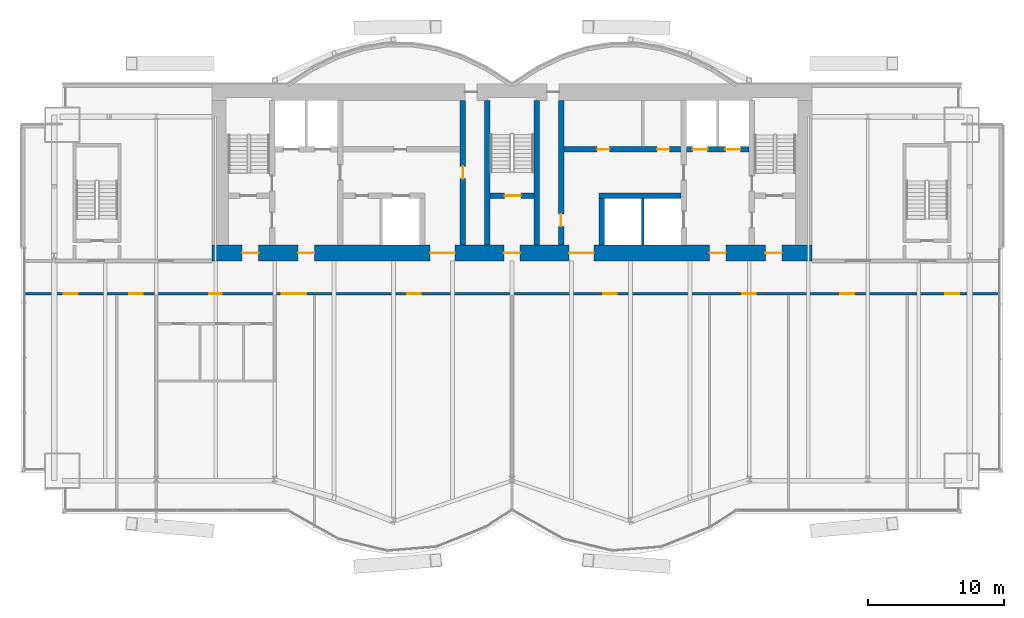
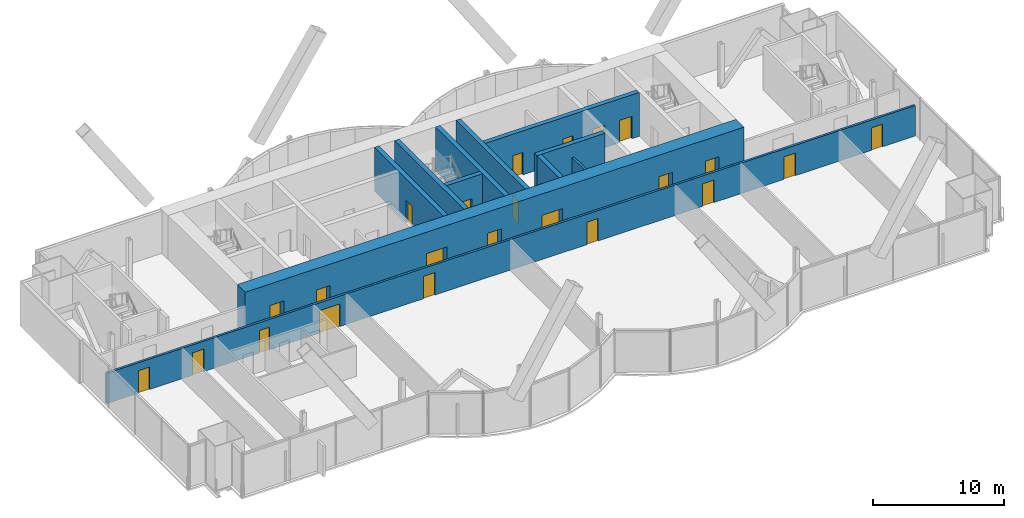
# One storey, part 15 of 20: 23 doors, 11 walls, 23 openings.
"""IFC4 building model written with IfcOpenShell, lengths in metres."""

import ifcopenshell
import ifcopenshell.guid

model = None  # the IFC model being written
_history = None  # IfcOwnerHistory: only IFC2X3 demands one
_inside = {}  # id of a spatial element -> (the spatial element, [elements in it])
_under = {}  # id of a project, library or spatial element -> (it, [spatial elements below it])
_declared = {}  # id of a project -> (the project, [libraries it declares])
_typed = {}  # id of a type object -> (the type object, [elements of that type])
_made_of = {}  # id of a material, layer set ... -> (it, [elements and type objects made of it])


def new_model(schema):
    """Start an empty IFC model of exactly this schema.

    Asked for "IFC4X3", IfcOpenShell would pick the latest addendum, in which some entities
    have other attributes; the version numbers below select the first issue.
    IFC2X3 requires an IfcOwnerHistory on every rooted entity: one is made here for all.
    """
    global model, _history
    if schema == "IFC4X3":
        model = ifcopenshell.file(schema_version=(4, 3, 0, 0))
    else:
        model = ifcopenshell.file(schema=schema)
    _inside.clear()
    _under.clear()
    _declared.clear()
    _typed.clear()
    _made_of.clear()
    _history = None
    if model.schema == "IFC2X3":
        org = make("IfcOrganization", Name="unknown")
        user = make(
            "IfcPersonAndOrganization",
            ThePerson=make("IfcPerson", FamilyName="unknown"),
            TheOrganization=org,
        )
        app = make(
            "IfcApplication",
            ApplicationDeveloper=org,
            Version="unknown",
            ApplicationFullName="unknown",
            ApplicationIdentifier="unknown",
        )
        _history = make(
            "IfcOwnerHistory",
            OwningUser=user,
            OwningApplication=app,
            ChangeAction="ADDED",
            CreationDate=0,
        )
    return model


def make(cls, **values):
    """One entity of the class cls with the attributes given. An attribute that is None is left unset."""
    return model.create_entity(
        cls, **{name: value for name, value in values.items() if value is not None}
    )


def rooted(cls, **values):
    """An entity with a GlobalId (a new one), such as an element, a storey or a relation."""
    return make(cls, GlobalId=ifcopenshell.guid.new(), OwnerHistory=_history, **values)


def si_unit(unit_type, name, prefix=None):
    """IfcSIUnit, for example si_unit("LENGTHUNIT", "METRE", prefix="MILLI")."""
    return make("IfcSIUnit", UnitType=unit_type, Prefix=prefix, Name=name)


def assignment(units):
    """IfcUnitAssignment: the units of a project."""
    return None if units is None else make("IfcUnitAssignment", Units=units)


def point(xyz):
    """IfcCartesianPoint."""
    return None if xyz is None else make("IfcCartesianPoint", Coordinates=xyz)


def direction(xyz):
    """IfcDirection."""
    return None if xyz is None else make("IfcDirection", DirectionRatios=xyz)


def frame(location, z_axis=None, x_axis=None):
    """IfcAxis2Placement3D, a coordinate frame: its origin and axes. An axis left out is left unset."""
    return make(
        "IfcAxis2Placement3D",
        Location=point(location),
        Axis=direction(z_axis),
        RefDirection=direction(x_axis),
    )


def frame_2d(location, x_axis=None):
    """IfcAxis2Placement2D, a coordinate frame in the plane: its origin and x axis."""
    return make(
        "IfcAxis2Placement2D", Location=point(location), RefDirection=direction(x_axis)
    )


def origin():
    """The frame at (0, 0, 0) with its axes left unset."""
    return frame((0.0, 0.0, 0.0))


def place(relative_to, where):
    """IfcLocalPlacement: puts the frame where relative to a parent placement (None: the world)."""
    return make(
        "IfcLocalPlacement", PlacementRelTo=relative_to, RelativePlacement=where
    )


def context(
    kind, dimensions, precision=None, world=None, true_north=None, identifier=None
):
    """IfcGeometricRepresentationContext, for example the 3D "Model" context."""
    return make(
        "IfcGeometricRepresentationContext",
        ContextIdentifier=identifier,
        ContextType=kind,
        CoordinateSpaceDimension=dimensions,
        Precision=precision,
        WorldCoordinateSystem=world,
        TrueNorth=true_north,
    )


def subcontext(parent, identifier, kind, view, scale=None):
    """IfcGeometricRepresentationSubContext, for example "Body" below "Model"."""
    return make(
        "IfcGeometricRepresentationSubContext",
        ContextIdentifier=identifier,
        ContextType=kind,
        ParentContext=parent,
        TargetScale=scale,
        TargetView=view,
    )


def project(units=None, contexts=None):
    """IfcProject with its units and contexts."""
    return rooted(
        "IfcProject",
        Name="project",
        RepresentationContexts=contexts,
        UnitsInContext=assignment(units),
    )


def spatial(cls, under=None, at=None, **own):
    """A site, building, storey or space (cls), placed at a placement, below another one or the project."""
    s = rooted(cls, ObjectPlacement=at, **own)
    if under is not None:
        _under.setdefault(under.id(), (under, []))[1].append(s)
    return s


def profile(cls, at=None, kind="AREA", **sizes):
    """A parametric profile (cls). Its sizes go by their IFC names, for example OverallWidth=200.0."""
    return make(cls, ProfileType=kind, Position=at, **sizes)


def rectangle(**sizes):
    """IfcRectangleProfileDef."""
    return profile("IfcRectangleProfileDef", **sizes)


def extrude(swept, where, along, depth):
    """IfcExtrudedAreaSolid: the profile swept, set in the frame where, extruded along a direction by depth."""
    return make(
        "IfcExtrudedAreaSolid",
        SweptArea=swept,
        Position=where,
        ExtrudedDirection=direction(along),
        Depth=depth,
    )


def shape(context_of_items, identifier, shape_type, items):
    """IfcShapeRepresentation: the items that make up one representation, for example the "Body"."""
    return make(
        "IfcShapeRepresentation",
        ContextOfItems=context_of_items,
        RepresentationIdentifier=identifier,
        RepresentationType=shape_type,
        Items=items,
    )


def material(Name=None, Category=None):
    """IfcMaterial."""
    return make("IfcMaterial", Name=Name, Category=Category)


def layer(
    of_material, thickness, ventilated=None, Name=None, Category=None, Priority=None
):
    """IfcMaterialLayer: one layer of a wall or slab, of a material (None: an air gap)."""
    return make(
        "IfcMaterialLayer",
        Material=of_material,
        LayerThickness=thickness,
        IsVentilated=ventilated,
        Name=Name,
        Category=Category,
        Priority=Priority,
    )


def layer_set(layers, Name=None):
    """IfcMaterialLayerSet."""
    return make("IfcMaterialLayerSet", MaterialLayers=layers, LayerSetName=Name)


def made_of(thing, what):
    """Note that an element or type object is made of a material, layer set ...; save() writes the relation."""
    if what is not None:
        _made_of.setdefault(what.id(), (what, []))[1].append(thing)
    return thing


def type_object(cls, material=None, **own):
    """A type object (cls), such as IfcWallType, which elements share."""
    return made_of(rooted(cls, **own), material)


def element(
    cls,
    number,
    at=None,
    inside=None,
    cuts=None,
    type_object=None,
    material=None,
    context=None,
    identifier="Body",
    shape_type=None,
    held_by="IfcProductDefinitionShape",
    body=None,
    shapes=None,
    **own,
):
    """One element of the class cls, such as IfcWall. Its Tag is "e" and its number.

    at: its placement. inside: the storey or other place that contains it. cuts: it is an
    opening in that element (IfcRelVoidsElement). A single representation is given by context,
    identifier, shape_type and body (its items); several are given by shapes. held_by: the class
    of the entity that holds the representations. save() writes the other relations.
    """
    e = rooted(cls, Tag="e%d" % number, ObjectPlacement=at, **own)
    if body is not None:
        shapes = [shape(context, identifier, shape_type, body)]
    if shapes is not None:
        e.Representation = make(held_by, Representations=shapes)
    if inside is not None:
        _inside.setdefault(inside.id(), (inside, []))[1].append(e)
    if cuts is not None:
        rooted(
            "IfcRelVoidsElement", RelatingBuildingElement=cuts, RelatedOpeningElement=e
        )
    if type_object is not None:
        _typed.setdefault(type_object.id(), (type_object, []))[1].append(e)
    return made_of(e, material)


def fill(opening, filler):
    """IfcRelFillsElement: the door or window that sits in an opening."""
    return rooted(
        "IfcRelFillsElement",
        RelatingOpeningElement=opening,
        RelatedBuildingElement=filler,
    )


def aggregate(whole, parts):
    """IfcRelAggregates: a whole, such as a stair, and the parts it consists of."""
    return rooted("IfcRelAggregates", RelatingObject=whole, RelatedObjects=parts)


def save(model, path):
    """Write the relations noted so far, then the file.

    IfcRelAggregates (storeys below a building ...), IfcRelContainedInSpatialStructure (elements
    in a storey), IfcRelDefinesByType, IfcRelAssociatesMaterial and IfcRelDeclares: one each for
    every whole, place, type object, material and project.
    """
    for whole, parts in _under.values():
        aggregate(whole, parts)
    for where, things in _inside.values():
        rooted(
            "IfcRelContainedInSpatialStructure",
            RelatedElements=things,
            RelatingStructure=where,
        )
    for kind, things in _typed.values():
        rooted("IfcRelDefinesByType", RelatedObjects=things, RelatingType=kind)
    for what, things in _made_of.values():
        rooted("IfcRelAssociatesMaterial", RelatedObjects=things, RelatingMaterial=what)
    for by, libraries in _declared.values():
        rooted("IfcRelDeclares", RelatingContext=by, RelatedDefinitions=libraries)
    model.write(path)


model = new_model("IFC4")

# Units and contexts
model_context = context("Model", 3, precision=1e-05, world=origin(), true_north=direction((0.0, 1.0)))
body_context = subcontext(model_context, "Body", "Model", "MODEL_VIEW")
ifc_project = project(units=[si_unit("LENGTHUNIT", "METRE"), si_unit("AREAUNIT", "SQUARE_METRE"), si_unit("VOLUMEUNIT", "CUBIC_METRE"), si_unit("PLANEANGLEUNIT", "RADIAN"), si_unit("MASSUNIT", "GRAM", prefix="KILO")], contexts=[model_context])

# Site, building, storey
site_placement = place(None, origin())
site = spatial("IfcSite", under=ifc_project, at=site_placement, CompositionType="ELEMENT")
building_placement = place(site_placement, origin())
building = spatial("IfcBuilding", under=site, at=building_placement, Name="Bicima Exchange Tower", CompositionType="ELEMENT")
storey_placement = place(building_placement, frame((0.0, 0.0, 219.60009765625)))
storey = spatial("IfcBuildingStorey", under=building, at=storey_placement, Name="L49", CompositionType="ELEMENT", Elevation=219.60009765625)

# Wall
ifc_material_1 = material(Name="Gypsum board partition")
ifc_layer_1 = layer(ifc_material_1, 0.199951171875)
ifc_layer_set_1 = layer_set([ifc_layer_1], Name="Gypsum board partition")
wall_type_1 = type_object("IfcWallType", Name="Fire-rated gypsum partition 200 EI120", PredefinedType="PARTITIONING", material=ifc_layer_set_1)
wall_1_placement = place(storey_placement, frame((9.60009765625, -11.800048828125, 0.0), z_axis=(0.0, 0.0, 1.0), x_axis=(0.0, 1.0, 0.0)))
element("IfcWall", 1, at=wall_1_placement, inside=storey, type_object=wall_type_1, Name="partition wall 18", PredefinedType="PARTITIONING", context=body_context, shape_type="SweptSolid", body=[
    extrude(rectangle(XDim=3.400146484375, YDim=0.199951171875, at=frame_2d((1.7001953125, 0.0))), origin(), (0.0, 0.0, 1.0), 2.840087890625),
])

# Wall, openings, doors
ifc_layer_2 = layer(ifc_material_1, 0.199951171875)
ifc_layer_set_2 = layer_set([ifc_layer_2], Name="Gypsum board partition")
wall_type_2 = type_object("IfcWallType", Name="Fire-rated gypsum partition 200 EI60", PredefinedType="PARTITIONING", material=ifc_layer_set_2)
wall_2_placement = place(storey_placement, frame((-35.679931640625, -15.39990234375, 0.0), z_axis=(0.0, 0.0, 1.0), x_axis=(1.0, 0.0, 0.0)))
wall_2 = element("IfcWall", 2, at=wall_2_placement, inside=storey, type_object=wall_type_2, Name="partition wall 3", PredefinedType="PARTITIONING", context=body_context, shape_type="SweptSolid", body=[
    extrude(rectangle(XDim=71.35986328125, YDim=0.199951171875, at=frame_2d((35.679931640625, 0.0))), origin(), (0.0, 0.0, 1.0), 2.840087890625),
])
opening_1_placement = place(wall_2_placement, frame((2.800048828125, 0.0, 0.0)))
opening_1 = element("IfcOpeningElement", 3, at=opening_1_placement, cuts=wall_2, Name="Opening L49-007", PredefinedType="OPENING", context=body_context, shape_type="SweptSolid", body=[
    extrude(rectangle(XDim=1.0, YDim=2.10009765625, at=frame_2d((0.5, 1.050048828125))), frame((0.0, 0.11181640625, 0.0), z_axis=(0.0, -1.0, 0.0), x_axis=(1.0, 0.0, 0.0)), (0.0, 0.0, 1.0), 0.223876953125),
])
opening_2_placement = place(wall_2_placement, frame((7.580078125, 0.0, 0.0)))
opening_2 = element("IfcOpeningElement", 4, at=opening_2_placement, cuts=wall_2, Name="Opening L49-008", PredefinedType="OPENING", context=body_context, shape_type="SweptSolid", body=[
    extrude(rectangle(XDim=1.0, YDim=2.10009765625, at=frame_2d((0.5, 1.050048828125))), frame((0.0, 0.11181640625, 0.0), z_axis=(0.0, -1.0, 0.0), x_axis=(1.0, 0.0, 0.0)), (0.0, 0.0, 1.0), 0.223876953125),
])
opening_3_placement = place(wall_2_placement, frame((13.47998046875, 0.0, 0.0)))
opening_3 = element("IfcOpeningElement", 5, at=opening_3_placement, cuts=wall_2, Name="Opening L49-009", PredefinedType="OPENING", context=body_context, shape_type="SweptSolid", body=[
    extrude(rectangle(XDim=0.89990234375, YDim=2.10009765625, at=frame_2d((0.449951171875, 1.050048828125))), frame((0.0, 0.11181640625, 0.0), z_axis=(0.0, -1.0, 0.0), x_axis=(1.0, 0.0, 0.0)), (0.0, 0.0, 1.0), 0.223876953125),
])
opening_4_placement = place(wall_2_placement, frame((18.780029296875, 0.0, 0.0)))
opening_4 = element("IfcOpeningElement", 6, at=opening_4_placement, cuts=wall_2, Name="Opening L49-013", PredefinedType="OPENING", context=body_context, shape_type="SweptSolid", body=[
    extrude(rectangle(XDim=1.800048828125, YDim=2.10009765625, at=frame_2d((0.89990234375, 1.050048828125))), frame((0.0, 0.11181640625, 0.0), z_axis=(0.0, -1.0, 0.0), x_axis=(1.0, 0.0, 0.0)), (0.0, 0.0, 1.0), 0.223876953125),
])
opening_5_placement = place(wall_2_placement, frame((27.97998046875, 0.0, 0.0)))
opening_5 = element("IfcOpeningElement", 7, at=opening_5_placement, cuts=wall_2, Name="Opening L49-014", PredefinedType="OPENING", context=body_context, shape_type="SweptSolid", body=[
    extrude(rectangle(XDim=1.0, YDim=2.10009765625, at=frame_2d((0.5, 1.050048828125))), frame((0.0, 0.11181640625, 0.0), z_axis=(0.0, -1.0, 0.0), x_axis=(1.0, 0.0, 0.0)), (0.0, 0.0, 1.0), 0.223876953125),
])
opening_6_placement = place(wall_2_placement, frame((42.3798828125, 0.0, 0.0)))
opening_6 = element("IfcOpeningElement", 8, at=opening_6_placement, cuts=wall_2, Name="Opening L49-015", PredefinedType="OPENING", context=body_context, shape_type="SweptSolid", body=[
    extrude(rectangle(XDim=1.0, YDim=2.10009765625, at=frame_2d((0.5, 1.050048828125))), frame((0.0, 0.11181640625, 0.0), z_axis=(0.0, -1.0, 0.0), x_axis=(1.0, 0.0, 0.0)), (0.0, 0.0, 1.0), 0.223876953125),
])
opening_7_placement = place(wall_2_placement, frame((52.580078125, 0.0, 0.0)))
opening_7 = element("IfcOpeningElement", 9, at=opening_7_placement, cuts=wall_2, Name="Opening L49-016", PredefinedType="OPENING", context=body_context, shape_type="SweptSolid", body=[
    extrude(rectangle(XDim=1.0, YDim=2.10009765625, at=frame_2d((0.5, 1.050048828125))), frame((0.0, 0.11181640625, 0.0), z_axis=(0.0, -1.0, 0.0), x_axis=(1.0, 0.0, 0.0)), (0.0, 0.0, 1.0), 0.223876953125),
])
opening_8_placement = place(wall_2_placement, frame((59.780029296875, 0.0, 0.0)))
opening_8 = element("IfcOpeningElement", 10, at=opening_8_placement, cuts=wall_2, Name="Opening L49-017", PredefinedType="OPENING", context=body_context, shape_type="SweptSolid", body=[
    extrude(rectangle(XDim=1.0, YDim=2.10009765625, at=frame_2d((0.5, 1.050048828125))), frame((0.0, 0.11181640625, 0.0), z_axis=(0.0, -1.0, 0.0), x_axis=(1.0, 0.0, 0.0)), (0.0, 0.0, 1.0), 0.223876953125),
])
opening_9_placement = place(wall_2_placement, frame((67.47998046875, 0.0, 0.0)))
opening_9 = element("IfcOpeningElement", 11, at=opening_9_placement, cuts=wall_2, Name="Opening L49-018", PredefinedType="OPENING", context=body_context, shape_type="SweptSolid", body=[
    extrude(rectangle(XDim=1.0, YDim=2.10009765625, at=frame_2d((0.5, 1.050048828125))), frame((0.0, 0.11181640625, 0.0), z_axis=(0.0, -1.0, 0.0), x_axis=(1.0, 0.0, 0.0)), (0.0, 0.0, 1.0), 0.223876953125),
])
ifc_material_2 = material(Name="Steel fire door leaf", Category="steel")
door_type_1 = type_object("IfcDoorType", Name="Door 1000 swing FD30S", OperationType="SINGLE_SWING_LEFT", PredefinedType="DOOR", material=ifc_material_2)
door_1_placement = place(opening_1_placement, frame((1.0, 0.0, 0.0), z_axis=(0.0, 0.0, 1.0), x_axis=(-1.0, 0.0, 0.0)))
door_1 = element("IfcDoor", 12, at=door_1_placement, inside=storey, type_object=door_type_1, Name="Door", OperationType="SINGLE_SWING_LEFT", OverallHeight=2.10009765625, OverallWidth=1.0, PredefinedType="DOOR", context=body_context, shape_type="SweptSolid", body=[
    extrude(rectangle(XDim=1.0, YDim=2.10009765625, at=frame_2d((0.5, 1.050048828125))), frame((0.0, 0.02490234375, 0.0), z_axis=(0.0, -1.0, 0.0), x_axis=(1.0, 0.0, 0.0)), (0.0, 0.0, 1.0), 0.050048828125),
])
fill(opening_1, door_1)
door_2_placement = place(opening_2_placement, frame((1.0, 0.0, 0.0), z_axis=(0.0, 0.0, 1.0), x_axis=(-1.0, 0.0, 0.0)))
door_2 = element("IfcDoor", 13, at=door_2_placement, inside=storey, type_object=door_type_1, Name="Door", OperationType="SINGLE_SWING_RIGHT", OverallHeight=2.10009765625, OverallWidth=1.0, PredefinedType="DOOR", context=body_context, shape_type="SweptSolid", body=[
    extrude(rectangle(XDim=1.0, YDim=2.10009765625, at=frame_2d((0.5, 1.050048828125))), frame((0.0, 0.02490234375, 0.0), z_axis=(0.0, -1.0, 0.0), x_axis=(1.0, 0.0, 0.0)), (0.0, 0.0, 1.0), 0.050048828125),
])
fill(opening_2, door_2)
door_3_placement = place(opening_5_placement, frame((1.0, 0.0, 0.0), z_axis=(0.0, 0.0, 1.0), x_axis=(-1.0, 0.0, 0.0)))
door_3 = element("IfcDoor", 14, at=door_3_placement, inside=storey, type_object=door_type_1, Name="Door", OperationType="SINGLE_SWING_RIGHT", OverallHeight=2.10009765625, OverallWidth=1.0, PredefinedType="DOOR", context=body_context, shape_type="SweptSolid", body=[
    extrude(rectangle(XDim=1.0, YDim=2.10009765625, at=frame_2d((0.5, 1.050048828125))), frame((0.0, 0.02490234375, 0.0), z_axis=(0.0, -1.0, 0.0), x_axis=(1.0, 0.0, 0.0)), (0.0, 0.0, 1.0), 0.050048828125),
])
fill(opening_5, door_3)
door_4_placement = place(opening_6_placement, frame((1.0, 0.0, 0.0), z_axis=(0.0, 0.0, 1.0), x_axis=(-1.0, 0.0, 0.0)))
door_4 = element("IfcDoor", 15, at=door_4_placement, inside=storey, type_object=door_type_1, Name="Door", OperationType="SINGLE_SWING_RIGHT", OverallHeight=2.10009765625, OverallWidth=1.0, PredefinedType="DOOR", context=body_context, shape_type="SweptSolid", body=[
    extrude(rectangle(XDim=1.0, YDim=2.10009765625, at=frame_2d((0.5, 1.050048828125))), frame((0.0, 0.02490234375, 0.0), z_axis=(0.0, -1.0, 0.0), x_axis=(1.0, 0.0, 0.0)), (0.0, 0.0, 1.0), 0.050048828125),
])
fill(opening_6, door_4)
door_5_placement = place(opening_7_placement, frame((1.0, 0.0, 0.0), z_axis=(0.0, 0.0, 1.0), x_axis=(-1.0, 0.0, 0.0)))
door_5 = element("IfcDoor", 16, at=door_5_placement, inside=storey, type_object=door_type_1, Name="Door", OperationType="SINGLE_SWING_LEFT", OverallHeight=2.10009765625, OverallWidth=1.0, PredefinedType="DOOR", context=body_context, shape_type="SweptSolid", body=[
    extrude(rectangle(XDim=1.0, YDim=2.10009765625, at=frame_2d((0.5, 1.050048828125))), frame((0.0, 0.02490234375, 0.0), z_axis=(0.0, -1.0, 0.0), x_axis=(1.0, 0.0, 0.0)), (0.0, 0.0, 1.0), 0.050048828125),
])
fill(opening_7, door_5)
door_6_placement = place(opening_8_placement, frame((1.0, 0.0, 0.0), z_axis=(0.0, 0.0, 1.0), x_axis=(-1.0, 0.0, 0.0)))
door_6 = element("IfcDoor", 17, at=door_6_placement, inside=storey, type_object=door_type_1, Name="Door", OperationType="SINGLE_SWING_RIGHT", OverallHeight=2.10009765625, OverallWidth=1.0, PredefinedType="DOOR", context=body_context, shape_type="SweptSolid", body=[
    extrude(rectangle(XDim=1.0, YDim=2.10009765625, at=frame_2d((0.5, 1.050048828125))), frame((0.0, 0.02490234375, 0.0), z_axis=(0.0, -1.0, 0.0), x_axis=(1.0, 0.0, 0.0)), (0.0, 0.0, 1.0), 0.050048828125),
])
fill(opening_8, door_6)
door_7_placement = place(opening_9_placement, frame((1.0, 0.0, 0.0), z_axis=(0.0, 0.0, 1.0), x_axis=(-1.0, 0.0, 0.0)))
door_7 = element("IfcDoor", 18, at=door_7_placement, inside=storey, type_object=door_type_1, Name="Door", OperationType="SINGLE_SWING_RIGHT", OverallHeight=2.10009765625, OverallWidth=1.0, PredefinedType="DOOR", context=body_context, shape_type="SweptSolid", body=[
    extrude(rectangle(XDim=1.0, YDim=2.10009765625, at=frame_2d((0.5, 1.050048828125))), frame((0.0, 0.02490234375, 0.0), z_axis=(0.0, -1.0, 0.0), x_axis=(1.0, 0.0, 0.0)), (0.0, 0.0, 1.0), 0.050048828125),
])
fill(opening_9, door_7)
door_type_2 = type_object("IfcDoorType", Name="Door 1800 double swing FD30S", OperationType="DOUBLE_DOOR_SINGLE_SWING", PredefinedType="DOOR", material=ifc_material_2)
door_8_placement = place(opening_4_placement, origin())
door_8 = element("IfcDoor", 19, at=door_8_placement, inside=storey, type_object=door_type_2, Name="Door", OperationType="SINGLE_SWING_LEFT", OverallHeight=2.10009765625, OverallWidth=1.800048828125, PredefinedType="DOOR", context=body_context, shape_type="SweptSolid", body=[
    extrude(rectangle(XDim=1.800048828125, YDim=2.10009765625, at=frame_2d((0.89990234375, 1.050048828125))), frame((0.0, 0.02490234375, 0.0), z_axis=(0.0, -1.0, 0.0), x_axis=(1.0, 0.0, 0.0)), (0.0, 0.0, 1.0), 0.050048828125),
])
fill(opening_4, door_8)
door_type_3 = type_object("IfcDoorType", Name="Door 900 swing FD30S", OperationType="SINGLE_SWING_LEFT", PredefinedType="DOOR", material=ifc_material_2)
door_9_placement = place(opening_3_placement, frame((0.89990234375, 0.0, 0.0), z_axis=(0.0, 0.0, 1.0), x_axis=(-1.0, 0.0, 0.0)))
door_9 = element("IfcDoor", 20, at=door_9_placement, inside=storey, type_object=door_type_3, Name="Door", OperationType="SINGLE_SWING_RIGHT", OverallHeight=2.10009765625, OverallWidth=0.89990234375, PredefinedType="DOOR", context=body_context, shape_type="SweptSolid", body=[
    extrude(rectangle(XDim=0.89990234375, YDim=2.10009765625, at=frame_2d((0.449951171875, 1.050048828125))), frame((0.0, 0.02490234375, 0.0), z_axis=(0.0, -1.0, 0.0), x_axis=(1.0, 0.0, 0.0)), (0.0, 0.0, 1.0), 0.050048828125),
])
fill(opening_3, door_9)

ifc_material_3 = material(Name="Concrete C50/60", Category="concrete")
ifc_layer_3 = layer(ifc_material_3, 1.199951171875)
ifc_layer_set_3 = layer_set([ifc_layer_3], Name="Concrete C50/60")
wall_type_3 = type_object("IfcWallType", Name="RC core wall 1200 C50/60", PredefinedType="SHEAR", material=ifc_layer_set_3)
wall_3_placement = place(storey_placement, frame((-22.0, -12.39990234375, 0.0), z_axis=(0.0, 0.0, 1.0), x_axis=(1.0, 0.0, 0.0)))
wall_3 = element("IfcWall", 21, at=wall_3_placement, inside=storey, type_object=wall_type_3, Name="Core wall south", PredefinedType="SHEAR", context=body_context, shape_type="SweptSolid", body=[
    extrude(rectangle(XDim=44.0, YDim=1.199951171875, at=frame_2d((22.0, 0.0))), origin(), (0.0, 0.0, 1.0), 4.099853515625),
])
opening_10_placement = place(wall_3_placement, frame((2.199951171875, 0.0, 0.0)))
opening_10 = element("IfcOpeningElement", 22, at=opening_10_placement, cuts=wall_3, Name="Opening L49-C18", PredefinedType="OPENING", context=body_context, shape_type="SweptSolid", body=[
    extrude(rectangle(XDim=1.199951171875, YDim=2.10009765625, at=frame_2d((0.60009765625, 1.050048828125))), frame((0.0, 0.61181640625, 0.0), z_axis=(0.0, -1.0, 0.0), x_axis=(1.0, 0.0, 0.0)), (0.0, 0.0, 1.0), 1.223876953125),
])
opening_11_placement = place(wall_3_placement, frame((21.39990234375, 0.0, 0.0)))
opening_11 = element("IfcOpeningElement", 23, at=opening_11_placement, cuts=wall_3, Name="Opening L49-C19", PredefinedType="OPENING", context=body_context, shape_type="SweptSolid", body=[
    extrude(rectangle(XDim=1.199951171875, YDim=2.10009765625, at=frame_2d((0.60009765625, 1.050048828125))), frame((0.0, 0.61181640625, 0.0), z_axis=(0.0, -1.0, 0.0), x_axis=(1.0, 0.0, 0.0)), (0.0, 0.0, 1.0), 1.223876953125),
])
opening_12_placement = place(wall_3_placement, frame((40.60009765625, 0.0, 0.0)))
opening_12 = element("IfcOpeningElement", 24, at=opening_12_placement, cuts=wall_3, Name="Opening L49-C20", PredefinedType="OPENING", context=body_context, shape_type="SweptSolid", body=[
    extrude(rectangle(XDim=1.199951171875, YDim=2.10009765625, at=frame_2d((0.60009765625, 1.050048828125))), frame((0.0, 0.61181640625, 0.0), z_axis=(0.0, -1.0, 0.0), x_axis=(1.0, 0.0, 0.0)), (0.0, 0.0, 1.0), 1.223876953125),
])
opening_13_placement = place(wall_3_placement, frame((16.0, 0.0, 0.0)))
opening_13 = element("IfcOpeningElement", 25, at=opening_13_placement, cuts=wall_3, Name="Opening L49-C21", PredefinedType="OPENING", context=body_context, shape_type="SweptSolid", body=[
    extrude(rectangle(XDim=1.800048828125, YDim=2.10009765625, at=frame_2d((0.89990234375, 1.050048828125))), frame((0.0, 0.61181640625, 0.0), z_axis=(0.0, -1.0, 0.0), x_axis=(1.0, 0.0, 0.0)), (0.0, 0.0, 1.0), 1.223876953125),
])
opening_14_placement = place(wall_3_placement, frame((6.300048828125, 0.0, 0.0)))
opening_14 = element("IfcOpeningElement", 26, at=opening_14_placement, cuts=wall_3, Name="Opening L49-C22", PredefinedType="OPENING", context=body_context, shape_type="SweptSolid", body=[
    extrude(rectangle(XDim=1.199951171875, YDim=2.10009765625, at=frame_2d((0.60009765625, 1.050048828125))), frame((0.0, 0.61181640625, 0.0), z_axis=(0.0, -1.0, 0.0), x_axis=(1.0, 0.0, 0.0)), (0.0, 0.0, 1.0), 1.223876953125),
])
opening_15_placement = place(wall_3_placement, frame((26.199951171875, 0.0, 0.0)))
opening_15 = element("IfcOpeningElement", 27, at=opening_15_placement, cuts=wall_3, Name="Opening L49-C23", PredefinedType="OPENING", context=body_context, shape_type="SweptSolid", body=[
    extrude(rectangle(XDim=1.800048828125, YDim=2.10009765625, at=frame_2d((0.89990234375, 1.050048828125))), frame((0.0, 0.61181640625, 0.0), z_axis=(0.0, -1.0, 0.0), x_axis=(1.0, 0.0, 0.0)), (0.0, 0.0, 1.0), 1.223876953125),
])
opening_16_placement = place(wall_3_placement, frame((36.5, 0.0, 0.0)))
opening_16 = element("IfcOpeningElement", 28, at=opening_16_placement, cuts=wall_3, Name="Opening L49-C24", PredefinedType="OPENING", context=body_context, shape_type="SweptSolid", body=[
    extrude(rectangle(XDim=1.199951171875, YDim=2.10009765625, at=frame_2d((0.60009765625, 1.050048828125))), frame((0.0, 0.61181640625, 0.0), z_axis=(0.0, -1.0, 0.0), x_axis=(1.0, 0.0, 0.0)), (0.0, 0.0, 1.0), 1.223876953125),
])
door_type_4 = type_object("IfcDoorType", Name="Door 1200 swing FD60S", OperationType="SINGLE_SWING_LEFT", PredefinedType="DOOR", material=ifc_material_2)
door_10_placement = place(opening_10_placement, frame((1.199951171875, 0.0, 0.0), z_axis=(0.0, 0.0, 1.0), x_axis=(-1.0, 0.0, 0.0)))
door_10 = element("IfcDoor", 29, at=door_10_placement, inside=storey, type_object=door_type_4, Name="Core door", OperationType="SINGLE_SWING_RIGHT", OverallHeight=2.10009765625, OverallWidth=1.199951171875, PredefinedType="DOOR", context=body_context, shape_type="SweptSolid", body=[
    extrude(rectangle(XDim=1.199951171875, YDim=2.10009765625, at=frame_2d((0.60009765625, 1.050048828125))), frame((0.0, 0.02490234375, 0.0), z_axis=(0.0, -1.0, 0.0), x_axis=(1.0, 0.0, 0.0)), (0.0, 0.0, 1.0), 0.050048828125),
])
fill(opening_10, door_10)
door_11_placement = place(opening_11_placement, frame((1.199951171875, 0.0, 0.0), z_axis=(0.0, 0.0, 1.0), x_axis=(-1.0, 0.0, 0.0)))
door_11 = element("IfcDoor", 30, at=door_11_placement, inside=storey, type_object=door_type_4, Name="Core door", OperationType="SINGLE_SWING_RIGHT", OverallHeight=2.10009765625, OverallWidth=1.199951171875, PredefinedType="DOOR", context=body_context, shape_type="SweptSolid", body=[
    extrude(rectangle(XDim=1.199951171875, YDim=2.10009765625, at=frame_2d((0.60009765625, 1.050048828125))), frame((0.0, 0.02490234375, 0.0), z_axis=(0.0, -1.0, 0.0), x_axis=(1.0, 0.0, 0.0)), (0.0, 0.0, 1.0), 0.050048828125),
])
fill(opening_11, door_11)
door_12_placement = place(opening_12_placement, frame((1.199951171875, 0.0, 0.0), z_axis=(0.0, 0.0, 1.0), x_axis=(-1.0, 0.0, 0.0)))
door_12 = element("IfcDoor", 31, at=door_12_placement, inside=storey, type_object=door_type_4, Name="Core door", OperationType="SINGLE_SWING_RIGHT", OverallHeight=2.10009765625, OverallWidth=1.199951171875, PredefinedType="DOOR", context=body_context, shape_type="SweptSolid", body=[
    extrude(rectangle(XDim=1.199951171875, YDim=2.10009765625, at=frame_2d((0.60009765625, 1.050048828125))), frame((0.0, 0.02490234375, 0.0), z_axis=(0.0, -1.0, 0.0), x_axis=(1.0, 0.0, 0.0)), (0.0, 0.0, 1.0), 0.050048828125),
])
fill(opening_12, door_12)
door_13_placement = place(opening_14_placement, frame((1.199951171875, 0.0, 0.0), z_axis=(0.0, 0.0, 1.0), x_axis=(-1.0, 0.0, 0.0)))
door_13 = element("IfcDoor", 32, at=door_13_placement, inside=storey, type_object=door_type_4, Name="Core door", OperationType="SINGLE_SWING_RIGHT", OverallHeight=2.10009765625, OverallWidth=1.199951171875, PredefinedType="DOOR", context=body_context, shape_type="SweptSolid", body=[
    extrude(rectangle(XDim=1.199951171875, YDim=2.10009765625, at=frame_2d((0.60009765625, 1.050048828125))), frame((0.0, 0.02490234375, 0.0), z_axis=(0.0, -1.0, 0.0), x_axis=(1.0, 0.0, 0.0)), (0.0, 0.0, 1.0), 0.050048828125),
])
fill(opening_14, door_13)
door_14_placement = place(opening_16_placement, frame((1.199951171875, 0.0, 0.0), z_axis=(0.0, 0.0, 1.0), x_axis=(-1.0, 0.0, 0.0)))
door_14 = element("IfcDoor", 33, at=door_14_placement, inside=storey, type_object=door_type_4, Name="Core door", OperationType="SINGLE_SWING_RIGHT", OverallHeight=2.10009765625, OverallWidth=1.199951171875, PredefinedType="DOOR", context=body_context, shape_type="SweptSolid", body=[
    extrude(rectangle(XDim=1.199951171875, YDim=2.10009765625, at=frame_2d((0.60009765625, 1.050048828125))), frame((0.0, 0.02490234375, 0.0), z_axis=(0.0, -1.0, 0.0), x_axis=(1.0, 0.0, 0.0)), (0.0, 0.0, 1.0), 0.050048828125),
])
fill(opening_16, door_14)
door_15_placement = place(opening_13_placement, origin())
door_15 = element("IfcDoor", 34, at=door_15_placement, inside=storey, type_object=door_type_2, Name="Core door", OperationType="SINGLE_SWING_LEFT", OverallHeight=2.10009765625, OverallWidth=1.800048828125, PredefinedType="DOOR", context=body_context, shape_type="SweptSolid", body=[
    extrude(rectangle(XDim=1.800048828125, YDim=2.10009765625, at=frame_2d((0.89990234375, 1.050048828125))), frame((0.0, 0.02490234375, 0.0), z_axis=(0.0, -1.0, 0.0), x_axis=(1.0, 0.0, 0.0)), (0.0, 0.0, 1.0), 0.050048828125),
])
fill(opening_13, door_15)
door_16_placement = place(opening_15_placement, origin())
door_16 = element("IfcDoor", 35, at=door_16_placement, inside=storey, type_object=door_type_2, Name="Core door", OperationType="SINGLE_SWING_LEFT", OverallHeight=2.10009765625, OverallWidth=1.800048828125, PredefinedType="DOOR", context=body_context, shape_type="SweptSolid", body=[
    extrude(rectangle(XDim=1.800048828125, YDim=2.10009765625, at=frame_2d((0.89990234375, 1.050048828125))), frame((0.0, 0.02490234375, 0.0), z_axis=(0.0, -1.0, 0.0), x_axis=(1.0, 0.0, 0.0)), (0.0, 0.0, 1.0), 0.050048828125),
])
fill(opening_15, door_16)

# Wall, opening, door
ifc_layer_4 = layer(ifc_material_3, 0.39990234375)
ifc_layer_set_4 = layer_set([ifc_layer_4], Name="Concrete C50/60")
wall_type_4 = type_object("IfcWallType", Name="RC core wall 400 C50/60", PredefinedType="SHEAR", material=ifc_layer_set_4)
wall_4_placement = place(storey_placement, frame((-1.60009765625, -8.199951171875, 0.0), z_axis=(0.0, 0.0, 1.0), x_axis=(1.0, 0.0, 0.0)))
wall_4 = element("IfcWall", 36, at=wall_4_placement, inside=storey, type_object=wall_type_4, Name="stair wall 3", PredefinedType="SHEAR", context=body_context, shape_type="SweptSolid", body=[
    extrude(rectangle(XDim=3.2001953125, YDim=0.39990234375, at=frame_2d((1.60009765625, 0.0))), origin(), (0.0, 0.0, 1.0), 4.099853515625),
])
opening_17_placement = place(wall_4_placement, frame((1.050048828125, 0.0, 0.0)))
opening_17 = element("IfcOpeningElement", 37, at=opening_17_placement, cuts=wall_4, Name="Opening L49-C03", PredefinedType="OPENING", context=body_context, shape_type="SweptSolid", body=[
    extrude(rectangle(XDim=1.199951171875, YDim=2.10009765625, at=frame_2d((0.60009765625, 1.050048828125))), frame((0.0, 0.2119140625, 0.0), z_axis=(0.0, -1.0, 0.0), x_axis=(1.0, 0.0, 0.0)), (0.0, 0.0, 1.0), 0.423828125),
])
door_17_placement = place(opening_17_placement, origin())
door_17 = element("IfcDoor", 38, at=door_17_placement, inside=storey, type_object=door_type_4, Name="Core door", OperationType="SINGLE_SWING_LEFT", OverallHeight=2.10009765625, OverallWidth=1.199951171875, PredefinedType="DOOR", context=body_context, shape_type="SweptSolid", body=[
    extrude(rectangle(XDim=1.199951171875, YDim=2.10009765625, at=frame_2d((0.60009765625, 1.050048828125))), frame((0.0, 0.02490234375, 0.0), z_axis=(0.0, -1.0, 0.0), x_axis=(1.0, 0.0, 0.0)), (0.0, 0.0, 1.0), 0.050048828125),
])
fill(opening_17, door_17)

# Wall
wall_5_placement = place(storey_placement, frame((6.39990234375, -8.199951171875, 0.0), z_axis=(0.0, 0.0, 1.0), x_axis=(1.0, 0.0, 0.0)))
element("IfcWall", 39, at=wall_5_placement, inside=storey, type_object=wall_type_4, Name="shear wall 4", PredefinedType="SHEAR", context=body_context, shape_type="SweptSolid", body=[
    extrude(rectangle(XDim=6.0, YDim=0.39990234375, at=frame_2d((3.0, 0.0))), origin(), (0.0, 0.0, 1.0), 4.099853515625),
])

# Wall, openings, doors
wall_6_placement = place(storey_placement, frame((3.800048828125, -4.800048828125, 0.0), z_axis=(0.0, 0.0, 1.0), x_axis=(1.0, 0.0, 0.0)))
wall_6 = element("IfcWall", 40, at=wall_6_placement, inside=storey, type_object=wall_type_4, Name="shear wall 7", PredefinedType="SHEAR", context=body_context, shape_type="SweptSolid", body=[
    extrude(rectangle(XDim=13.599853515625, YDim=0.39990234375, at=frame_2d((6.7998046875, 0.0))), origin(), (0.0, 0.0, 1.0), 4.099853515625),
])
opening_18_placement = place(wall_6_placement, frame((9.449951171875, 0.0, 0.0)))
opening_18 = element("IfcOpeningElement", 41, at=opening_18_placement, cuts=wall_6, Name="Opening LD-FF2-L49", PredefinedType="OPENING", context=body_context, shape_type="SweptSolid", body=[
    extrude(rectangle(XDim=1.10009765625, YDim=2.10009765625, at=frame_2d((0.550048828125, 1.050048828125))), frame((0.0, 0.2119140625, 0.0), z_axis=(0.0, -1.0, 0.0), x_axis=(1.0, 0.0, 0.0)), (0.0, 0.0, 1.0), 0.423828125),
])
opening_19_placement = place(wall_6_placement, frame((11.85009765625, 0.0, 0.0)))
opening_19 = element("IfcOpeningElement", 42, at=opening_19_placement, cuts=wall_6, Name="Opening LD-SV1-L49", PredefinedType="OPENING", context=body_context, shape_type="SweptSolid", body=[
    extrude(rectangle(XDim=1.10009765625, YDim=2.10009765625, at=frame_2d((0.550048828125, 1.050048828125))), frame((0.0, 0.2119140625, 0.0), z_axis=(0.0, -1.0, 0.0), x_axis=(1.0, 0.0, 0.0)), (0.0, 0.0, 1.0), 0.423828125),
])
opening_20_placement = place(wall_6_placement, frame((2.449951171875, 0.0, 0.0)))
opening_20 = element("IfcOpeningElement", 43, at=opening_20_placement, cuts=wall_6, Name="Opening L49-C13", PredefinedType="OPENING", context=body_context, shape_type="SweptSolid", body=[
    extrude(rectangle(XDim=0.89990234375, YDim=2.10009765625, at=frame_2d((0.449951171875, 1.050048828125))), frame((0.0, 0.2119140625, 0.0), z_axis=(0.0, -1.0, 0.0), x_axis=(1.0, 0.0, 0.0)), (0.0, 0.0, 1.0), 0.423828125),
])
opening_21_placement = place(wall_6_placement, frame((6.85009765625, 0.0, 0.0)))
opening_21 = element("IfcOpeningElement", 44, at=opening_21_placement, cuts=wall_6, Name="Opening L49-C14", PredefinedType="OPENING", context=body_context, shape_type="SweptSolid", body=[
    extrude(rectangle(XDim=0.89990234375, YDim=2.10009765625, at=frame_2d((0.449951171875, 1.050048828125))), frame((0.0, 0.2119140625, 0.0), z_axis=(0.0, -1.0, 0.0), x_axis=(1.0, 0.0, 0.0)), (0.0, 0.0, 1.0), 0.423828125),
])
door_18_placement = place(opening_20_placement, origin())
door_18 = element("IfcDoor", 45, at=door_18_placement, inside=storey, type_object=door_type_3, Name="Core door", OperationType="SINGLE_SWING_LEFT", OverallHeight=2.10009765625, OverallWidth=0.89990234375, PredefinedType="DOOR", context=body_context, shape_type="SweptSolid", body=[
    extrude(rectangle(XDim=0.89990234375, YDim=2.10009765625, at=frame_2d((0.449951171875, 1.050048828125))), frame((0.0, 0.02490234375, 0.0), z_axis=(0.0, -1.0, 0.0), x_axis=(1.0, 0.0, 0.0)), (0.0, 0.0, 1.0), 0.050048828125),
])
fill(opening_20, door_18)
door_19_placement = place(opening_21_placement, origin())
door_19 = element("IfcDoor", 46, at=door_19_placement, inside=storey, type_object=door_type_3, Name="Core door", OperationType="SINGLE_SWING_RIGHT", OverallHeight=2.10009765625, OverallWidth=0.89990234375, PredefinedType="DOOR", context=body_context, shape_type="SweptSolid", body=[
    extrude(rectangle(XDim=0.89990234375, YDim=2.10009765625, at=frame_2d((0.449951171875, 1.050048828125))), frame((0.0, 0.02490234375, 0.0), z_axis=(0.0, -1.0, 0.0), x_axis=(1.0, 0.0, 0.0)), (0.0, 0.0, 1.0), 0.050048828125),
])
fill(opening_21, door_19)
ifc_material_4 = material(Name="Stainless steel", Category="steel")
door_type_5 = type_object("IfcDoorType", Name="Lift landing door 1100 sliding", OperationType="DOUBLE_DOOR_SLIDING", PredefinedType="DOOR", material=ifc_material_4)
door_20_placement = place(opening_18_placement, origin())
door_20 = element("IfcDoor", 47, at=door_20_placement, inside=storey, type_object=door_type_5, Name="Lift landing door FF2", OperationType="DOUBLE_DOOR_SLIDING", OverallHeight=2.10009765625, OverallWidth=1.10009765625, PredefinedType="DOOR", context=body_context, shape_type="SweptSolid", body=[
    extrude(rectangle(XDim=1.10009765625, YDim=2.10009765625, at=frame_2d((0.550048828125, 1.050048828125))), frame((0.0, 0.02490234375, 0.0), z_axis=(0.0, -1.0, 0.0), x_axis=(1.0, 0.0, 0.0)), (0.0, 0.0, 1.0), 0.050048828125),
])
fill(opening_18, door_20)
door_21_placement = place(opening_19_placement, origin())
door_21 = element("IfcDoor", 48, at=door_21_placement, inside=storey, type_object=door_type_5, Name="Lift landing door SV1", OperationType="DOUBLE_DOOR_SLIDING", OverallHeight=2.10009765625, OverallWidth=1.10009765625, PredefinedType="DOOR", context=body_context, shape_type="SweptSolid", body=[
    extrude(rectangle(XDim=1.10009765625, YDim=2.10009765625, at=frame_2d((0.550048828125, 1.050048828125))), frame((0.0, 0.02490234375, 0.0), z_axis=(0.0, -1.0, 0.0), x_axis=(1.0, 0.0, 0.0)), (0.0, 0.0, 1.0), 0.050048828125),
])
fill(opening_19, door_21)

# Wall, opening, door
wall_7_placement = place(storey_placement, frame((-3.60009765625, -11.800048828125, 0.0), z_axis=(0.0, 0.0, 1.0), x_axis=(0.0, 1.0, 0.0)))
wall_7 = element("IfcWall", 49, at=wall_7_placement, inside=storey, type_object=wall_type_4, Name="shear wall 13", PredefinedType="SHEAR", context=body_context, shape_type="SweptSolid", body=[
    extrude(rectangle(XDim=10.60009765625, YDim=0.39990234375, at=frame_2d((5.300048828125, 0.0))), origin(), (0.0, 0.0, 1.0), 4.099853515625),
])
opening_22_placement = place(wall_7_placement, frame((4.85009765625, 0.0, 0.0)))
opening_22 = element("IfcOpeningElement", 50, at=opening_22_placement, cuts=wall_7, Name="Opening L49-C10", PredefinedType="OPENING", context=body_context, shape_type="SweptSolid", body=[
    extrude(rectangle(XDim=0.89990234375, YDim=2.10009765625, at=frame_2d((0.449951171875, 1.050048828125))), frame((0.0, 0.2119140625, 0.0), z_axis=(0.0, -1.0, 0.0), x_axis=(1.0, 0.0, 0.0)), (0.0, 0.0, 1.0), 0.423828125),
])
door_22_placement = place(opening_22_placement, frame((0.89990234375, 0.0, 0.0), z_axis=(0.0, 0.0, 1.0), x_axis=(-1.0, 0.0, 0.0)))
door_22 = element("IfcDoor", 51, at=door_22_placement, inside=storey, type_object=door_type_3, Name="Core door", OperationType="SINGLE_SWING_LEFT", OverallHeight=2.10009765625, OverallWidth=0.89990234375, PredefinedType="DOOR", context=body_context, shape_type="SweptSolid", body=[
    extrude(rectangle(XDim=0.89990234375, YDim=2.10009765625, at=frame_2d((0.449951171875, 1.050048828125))), frame((0.0, 0.02490234375, 0.0), z_axis=(0.0, -1.0, 0.0), x_axis=(1.0, 0.0, 0.0)), (0.0, 0.0, 1.0), 0.050048828125),
])
fill(opening_22, door_22)

# Walls
for number, where, z_axis, x_axis, name in (
    (52, (-1.800048828125, -11.800048828125, 0.0), (0.0, 0.0, 1.0), (0.0, 1.0, 0.0), "stair wall 14"),
    (53, (1.800048828125, -11.800048828125, 0.0), (0.0, 0.0, 1.0), (0.0, 1.0, 0.0), "stair wall 15"),
):
    element("IfcWall", number, at=place(storey_placement, frame(where, z_axis=z_axis, x_axis=x_axis)), inside=storey, type_object=wall_type_4, Name=name, PredefinedType="SHEAR", context=body_context, shape_type="SweptSolid", body=[
        extrude(rectangle(XDim=10.60009765625, YDim=0.39990234375, at=frame_2d((5.300048828125, 0.0))), origin(), (0.0, 0.0, 1.0), 4.099853515625),
    ])

# Wall, opening, door
wall_8_placement = place(storey_placement, frame((3.60009765625, -11.800048828125, 0.0), z_axis=(0.0, 0.0, 1.0), x_axis=(0.0, 1.0, 0.0)))
wall_8 = element("IfcWall", 54, at=wall_8_placement, inside=storey, type_object=wall_type_4, Name="shear wall 16", PredefinedType="SHEAR", context=body_context, shape_type="SweptSolid", body=[
    extrude(rectangle(XDim=10.60009765625, YDim=0.39990234375, at=frame_2d((5.300048828125, 0.0))), origin(), (0.0, 0.0, 1.0), 4.099853515625),
])
opening_23_placement = place(wall_8_placement, frame((1.35009765625, 0.0, 0.0)))
opening_23 = element("IfcOpeningElement", 55, at=opening_23_placement, cuts=wall_8, Name="Opening L49-C11", PredefinedType="OPENING", context=body_context, shape_type="SweptSolid", body=[
    extrude(rectangle(XDim=0.89990234375, YDim=2.10009765625, at=frame_2d((0.449951171875, 1.050048828125))), frame((0.0, 0.2119140625, 0.0), z_axis=(0.0, -1.0, 0.0), x_axis=(1.0, 0.0, 0.0)), (0.0, 0.0, 1.0), 0.423828125),
])
door_23_placement = place(opening_23_placement, origin())
door_23 = element("IfcDoor", 56, at=door_23_placement, inside=storey, type_object=door_type_3, Name="Core door", OperationType="SINGLE_SWING_LEFT", OverallHeight=2.10009765625, OverallWidth=0.89990234375, PredefinedType="DOOR", context=body_context, shape_type="SweptSolid", body=[
    extrude(rectangle(XDim=0.89990234375, YDim=2.10009765625, at=frame_2d((0.449951171875, 1.050048828125))), frame((0.0, 0.02490234375, 0.0), z_axis=(0.0, -1.0, 0.0), x_axis=(1.0, 0.0, 0.0)), (0.0, 0.0, 1.0), 0.050048828125),
])
fill(opening_23, door_23)

# Wall
wall_9_placement = place(storey_placement, frame((6.60009765625, -11.800048828125, 0.0), z_axis=(0.0, 0.0, 1.0), x_axis=(0.0, 1.0, 0.0)))
element("IfcWall", 57, at=wall_9_placement, inside=storey, type_object=wall_type_4, Name="shear wall 17", PredefinedType="SHEAR", context=body_context, shape_type="SweptSolid", body=[
    extrude(rectangle(XDim=3.400146484375, YDim=0.39990234375, at=frame_2d((1.7001953125, 0.0))), origin(), (0.0, 0.0, 1.0), 4.099853515625),
])

save(model, "model.ifc")
